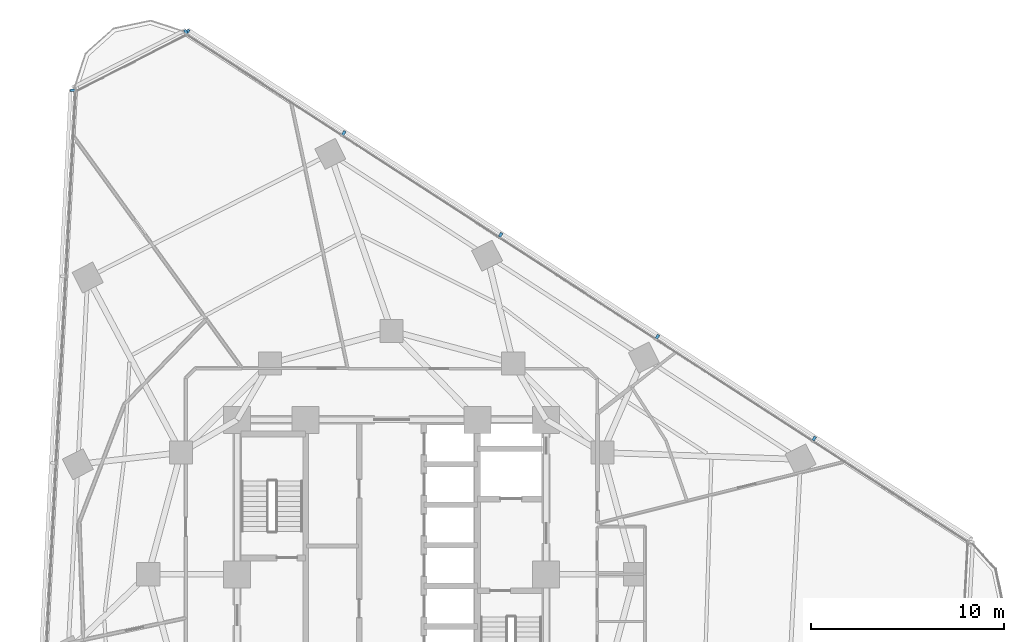
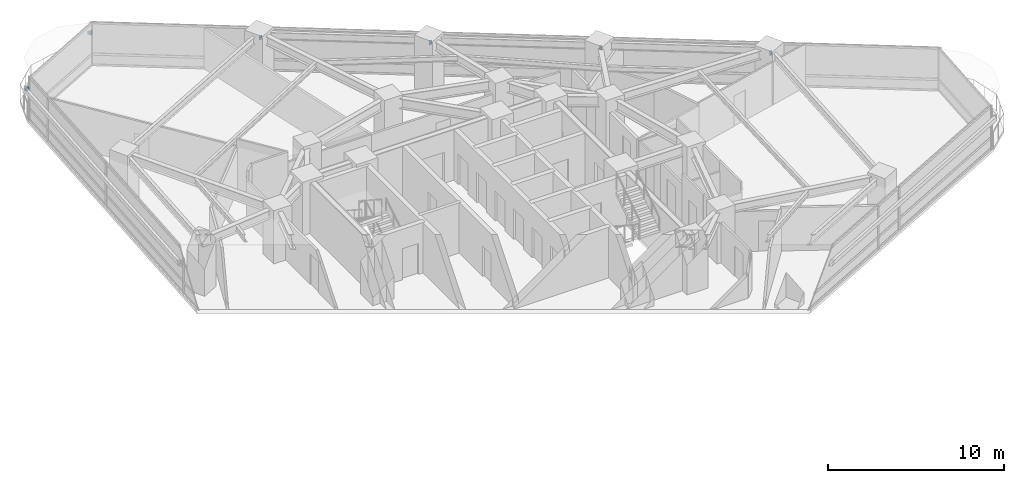
# One storey, part 11 of 14: 7 discrete accessories.
"""IFC4 building model written with IfcOpenShell, lengths in metres."""

from ifc_helpers import new_model, si_unit, direction, frame, origin, origin_2d, place, context, subcontext, project, spatial, rectangle, extrude, material, type_object, element, save


model = new_model("IFC4")

# Units and contexts
model_context = context("Model", 3, precision=1e-05, world=origin(), true_north=direction((0.0, 1.0)))
body_context = subcontext(model_context, "Body", "Model", "MODEL_VIEW")
ifc_project = project(units=[si_unit("LENGTHUNIT", "METRE"), si_unit("AREAUNIT", "SQUARE_METRE"), si_unit("VOLUMEUNIT", "CUBIC_METRE"), si_unit("PLANEANGLEUNIT", "RADIAN"), si_unit("MASSUNIT", "GRAM", prefix="KILO")], contexts=[model_context])

# Site, building, storey
site_placement = place(None, origin())
site = spatial("IfcSite", under=ifc_project, at=site_placement, CompositionType="ELEMENT")
building_placement = place(site_placement, origin())
building = spatial("IfcBuilding", under=site, at=building_placement, Name="Terralouvre Media Tower", CompositionType="ELEMENT")
storey_placement = place(building_placement, frame((0.0, 0.0, 123.60009765625)))
storey = spatial("IfcBuildingStorey", under=building, at=storey_placement, Name="L31", CompositionType="ELEMENT", Elevation=123.60009765625)

# Discrete accessories
ifc_material = material(Name="Anodised extruded aluminium 6063-T6", Category="aluminium")
discrete_accessory_type = type_object("IfcDiscreteAccessoryType", Name="Mullion Stand-Off Baguette Fixing Bracket BK-01", PredefinedType="BRACKET", material=ifc_material)
for number, where, z_axis, x_axis, name in (
    (1, (21.87841796875, 7.030029296875, 2.07373046875), (0.0, 0.0, 1.0), (-0.838670588944, 0.544639002681, 0.0), "CW-L31-F1 Baguette Outrigger Bracket 1.02"),
    (2, (13.76025390625, 12.30224609375, 2.07373046875), (0.0, 0.0, 1.0), (-0.838670588944, 0.544639002681, 0.0), "CW-L31-F1 Baguette Outrigger Bracket 1.03"),
    (3, (5.641845703125, 17.574462890625, 2.07373046875), (0.0, 0.0, 1.0), (-0.838670588944, 0.544639002681, 0.0), "CW-L31-F1 Baguette Outrigger Bracket 1.04"),
    (4, (-2.4765625, 22.846435546875, 2.07373046875), (0.0, 0.0, 1.0), (-0.838670588944, 0.544639002681, 0.0), "CW-L31-F1 Baguette Outrigger Bracket 1.05"),
    (5, (-10.563232421875, 28.09814453125, 2.07373046875), (0.0, 0.0, 1.0), (-0.838670588944, 0.544639002681, 0.0), "CW-L31-F1 Baguette Outrigger Bracket 1.06"),
    (6, (-16.52294921875, 25.0615234375, 2.07373046875), (0.0, 0.0, 1.0), (-0.052335949864, -0.998629535089, 0.0), "CW-L31-F2 Baguette Outrigger Bracket 1.01"),
    (7, (-10.6591796875, 28.085693359375, 2.07373046875), (0.0, 0.0, 1.0), (-0.891006600184, -0.45399035059, 0.0), "CW-L31-C2 Baguette Outrigger Bracket 1.01"),
):
    element("IfcDiscreteAccessory", number, at=place(storey_placement, frame(where, z_axis=z_axis, x_axis=x_axis)), inside=storey, type_object=discrete_accessory_type, Name=name, PredefinedType="BRACKET", context=body_context, shape_type="SweptSolid", body=[
        extrude(rectangle(XDim=0.139892578125, YDim=0.239990234375, at=origin_2d()), origin(), (0.0, 0.0, 1.0), 0.179931640625),
    ])

save(model, "model.ifc")
